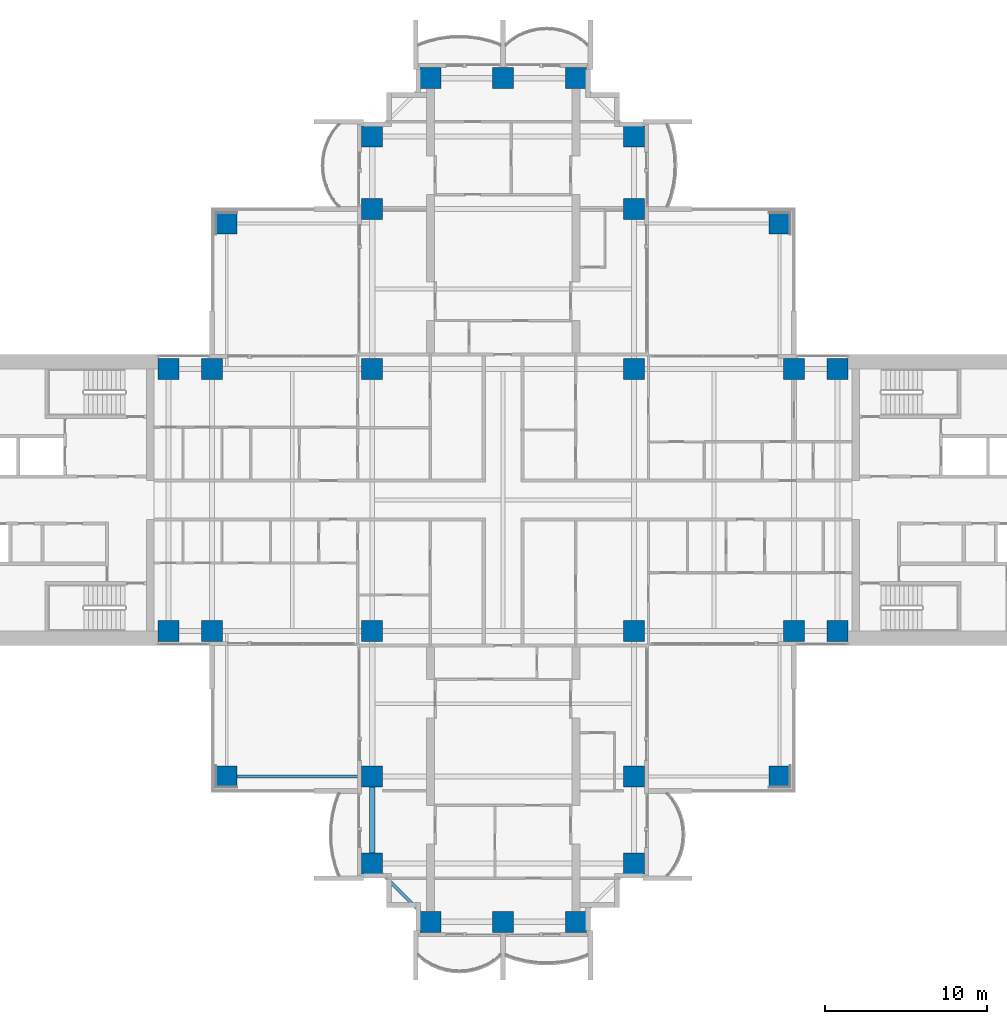
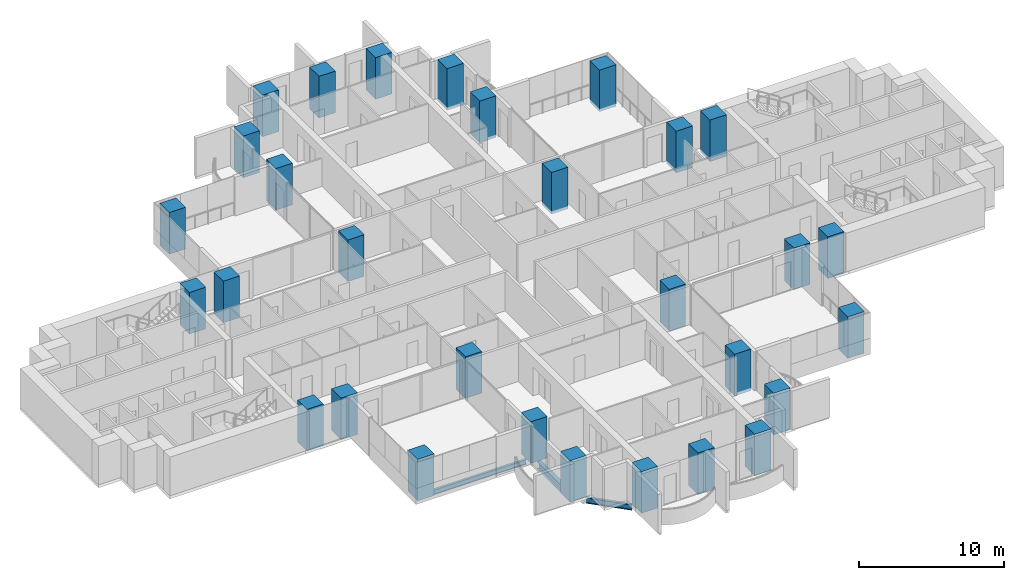
# One storey, part 1 of 20: 30 columns, 3 beams.
"""IFC4 building model written with IfcOpenShell, lengths in metres."""

from ifc_helpers import new_model, si_unit, direction, frame, origin, origin_2d, place, context, subcontext, project, spatial, rectangle, i_section, extrude, material, material_profile, profile_set, type_object, element, save


model = new_model("IFC4")

# Units and contexts
model_context = context("Model", 3, precision=1e-05, world=origin(), true_north=direction((0.0, 1.0)))
body_context = subcontext(model_context, "Body", "Model", "MODEL_VIEW")
ifc_project = project(units=[si_unit("LENGTHUNIT", "METRE"), si_unit("AREAUNIT", "SQUARE_METRE"), si_unit("VOLUMEUNIT", "CUBIC_METRE"), si_unit("PLANEANGLEUNIT", "RADIAN"), si_unit("MASSUNIT", "GRAM", prefix="KILO")], contexts=[model_context])

# Site, building, storey
site_placement = place(None, origin())
site = spatial("IfcSite", under=ifc_project, at=site_placement, CompositionType="ELEMENT")
building_placement = place(site_placement, origin())
building = spatial("IfcBuilding", under=site, at=building_placement, Name="Perihelion Cross Residences", CompositionType="ELEMENT")
storey_placement = place(building_placement, frame((0.0, 0.0, 71.5)))
storey = spatial("IfcBuildingStorey", under=building, at=storey_placement, Name="L15", CompositionType="ELEMENT", Elevation=71.5)

# Columns
ifc_material_1 = material(Name="Concrete C70/85", Category="concrete")
ifc_material_profile_1 = material_profile(ifc_material_1, rectangle(XDim=1.300048828125, YDim=1.300048828125, at=origin_2d()), Name="RC 1300x1300")
ifc_profile_set_1 = profile_set([ifc_material_profile_1], Name="Concrete C70/85")
column_type = type_object("IfcColumnType", Name="Reinforced concrete column 1300x1300 C70/85", PredefinedType="COLUMN", material=ifc_profile_set_1)
for number, where, z_axis, x_axis, name in (
    (1, (-20.699951171875, -8.10009765625, -0.25), (0.0, 0.0, 1.0), (1.0, 0.0, 0.0), "Column C017 L15 no. 1"),
    (2, (-20.699951171875, 8.10009765625, -0.25), (0.0, 0.0, 1.0), (1.0, 0.0, 0.0), "Column C010 L15 no. 1"),
    (3, (-18.0, -8.10009765625, -0.25), (0.0, 0.0, 1.0), (1.0, 0.0, 0.0), "Column C018 L15 no. 1"),
    (4, (-18.0, 8.10009765625, -0.25), (0.0, 0.0, 1.0), (1.0, 0.0, 0.0), "Column C011 L15 no. 1"),
    (5, (-8.10009765625, -22.5, -0.25), (0.0, 0.0, 1.0), (1.0, 0.0, 0.0), "Column C040 L15 no. 1"),
    (6, (-8.10009765625, -17.10009765625, -0.25), (0.0, 0.0, 1.0), (1.0, 0.0, 0.0), "Column C031 L15 no. 1"),
    (7, (-8.10009765625, -8.10009765625, -0.25), (0.0, 0.0, 1.0), (1.0, 0.0, 0.0), "Column C019 L15 no. 1"),
    (8, (-8.10009765625, 8.10009765625, -0.25), (0.0, 0.0, 1.0), (1.0, 0.0, 0.0), "Column C012 L15 no. 1"),
    (9, (-8.10009765625, 18.0, -0.25), (0.0, 0.0, 1.0), (1.0, 0.0, 0.0), "Column C006 L15 no. 1"),
    (10, (-8.10009765625, 22.5, -0.25), (0.0, 0.0, 1.0), (1.0, 0.0, 0.0), "Column C004 L15 no. 1"),
    (11, (-4.5, -26.10009765625, -0.25), (0.0, 0.0, 1.0), (1.0, 0.0, 0.0), "Column C042 L15 no. 1"),
    (12, (-4.5, 26.10009765625, -0.25), (0.0, 0.0, 1.0), (1.0, 0.0, 0.0), "Column C001 L15 no. 1"),
    (13, (0.0, -26.10009765625, -0.25), (0.0, 0.0, 1.0), (1.0, 0.0, 0.0), "Column C043 L15 no. 1"),
    (14, (0.0, 26.10009765625, -0.25), (0.0, 0.0, 1.0), (1.0, 0.0, 0.0), "Column C002 L15 no. 1"),
    (15, (4.5, -26.10009765625, -0.25), (0.0, 0.0, 1.0), (1.0, 0.0, 0.0), "Column C044 L15 no. 1"),
    (16, (4.5, 26.10009765625, -0.25), (0.0, 0.0, 1.0), (1.0, 0.0, 0.0), "Column C003 L15 no. 1"),
    (17, (8.10009765625, -22.5, -0.25), (0.0, 0.0, 1.0), (1.0, 0.0, 0.0), "Column C041 L15 no. 1"),
    (18, (8.10009765625, -17.10009765625, -0.25), (0.0, 0.0, 1.0), (1.0, 0.0, 0.0), "Column C035 L15 no. 1"),
    (19, (8.10009765625, -8.10009765625, -0.25), (0.0, 0.0, 1.0), (1.0, 0.0, 0.0), "Column C020 L15 no. 1"),
    (20, (8.10009765625, 8.10009765625, -0.25), (0.0, 0.0, 1.0), (1.0, 0.0, 0.0), "Column C014 L15 no. 1"),
    (21, (8.10009765625, 18.0, -0.25), (0.0, 0.0, 1.0), (1.0, 0.0, 0.0), "Column C007 L15 no. 1"),
    (22, (8.10009765625, 22.5, -0.25), (0.0, 0.0, 1.0), (1.0, 0.0, 0.0), "Column C005 L15 no. 1"),
    (23, (18.0, -8.10009765625, -0.25), (0.0, 0.0, 1.0), (1.0, 0.0, 0.0), "Column C021 L15 no. 1"),
    (24, (18.0, 8.10009765625, -0.25), (0.0, 0.0, 1.0), (1.0, 0.0, 0.0), "Column C015 L15 no. 1"),
    (25, (20.699951171875, -8.10009765625, -0.25), (0.0, 0.0, 1.0), (1.0, 0.0, 0.0), "Column C022 L15 no. 1"),
    (26, (20.699951171875, 8.10009765625, -0.25), (0.0, 0.0, 1.0), (1.0, 0.0, 0.0), "Column C016 L15 no. 1"),
    (27, (17.10009765625, 17.10009765625, -0.25), (0.0, 0.0, 1.0), (1.0, 0.0, 0.0), "Column C009 L15 no. 1"),
    (28, (-17.10009765625, 17.10009765625, -0.25), (0.0, 0.0, 1.0), (1.0, 0.0, 0.0), "Column C008 L15 no. 1"),
    (29, (-17.10009765625, -17.10009765625, -0.25), (0.0, 0.0, 1.0), (1.0, 0.0, 0.0), "Column C030 L15 no. 1"),
    (30, (17.10009765625, -17.10009765625, -0.25), (0.0, 0.0, 1.0), (1.0, 0.0, 0.0), "Column C036 L15 no. 1"),
):
    element("IfcColumn", number, at=place(storey_placement, frame(where, z_axis=z_axis, x_axis=x_axis)), inside=storey, type_object=column_type, Name=name, PredefinedType="COLUMN", context=body_context, shape_type="SweptSolid", body=[
        extrude(rectangle(XDim=1.300048828125, YDim=1.300048828125, at=origin_2d()), origin(), (0.0, 0.0, 1.0), 3.5),
    ])

# Beams
ifc_material_2 = material(Name="Steel S355", Category="steel")
ifc_material_profile_2 = material_profile(ifc_material_2, i_section(OverallWidth=0.177978515625, OverallDepth=0.406005859375, WebThickness=0.0078125, FlangeThickness=0.0126953125, at=origin_2d()), Name="W410x60")
ifc_profile_set_2 = profile_set([ifc_material_profile_2], Name="Steel S355")
beam_type_1 = type_object("IfcBeamType", Name="Core edge beam W410x60", PredefinedType="BEAM", material=ifc_profile_set_2)
beam_1_placement = place(storey_placement, frame((-8.75, -17.10009765625, -0.452880859375), z_axis=(-1.0, 0.0, 0.0), x_axis=(0.0, -1.0, 0.0)))
element("IfcBeam", 31, at=beam_1_placement, inside=storey, type_object=beam_type_1, Name="Core edge beam TB2 L15 corner no. 2", PredefinedType="BEAM", context=body_context, shape_type="SweptSolid", body=[
    extrude(i_section(OverallWidth=0.177978515625, OverallDepth=0.406005859375, WebThickness=0.0078125, FlangeThickness=0.0126953125, at=origin_2d()), origin(), (0.0, 0.0, 1.0), 7.699951171875),
])
ifc_material_3 = material(Name="Steel S355", Category="steel")
ifc_material_profile_3 = material_profile(ifc_material_3, i_section(OverallWidth=0.324951171875, OverallDepth=0.616943359375, WebThickness=0.013916015625, FlangeThickness=0.021484375, at=origin_2d()), Name="W610x174")
ifc_profile_set_3 = profile_set([ifc_material_profile_3], Name="Steel S355")
beam_type_2 = type_object("IfcBeamType", Name="Edge beam W610x174", PredefinedType="SPANDREL", material=ifc_profile_set_3)
beam_2_placement = place(storey_placement, frame((-8.10009765625, -17.75, -0.55859375), z_axis=(0.0, -1.0, 0.0), x_axis=(1.0, 0.0, 0.0)))
element("IfcBeam", 32, at=beam_2_placement, inside=storey, type_object=beam_type_2, Name="Edge beam SB2 L15 no. 5", PredefinedType="SPANDREL", context=body_context, shape_type="SweptSolid", body=[
    extrude(i_section(OverallWidth=0.324951171875, OverallDepth=0.616943359375, WebThickness=0.013916015625, FlangeThickness=0.021484375, at=origin_2d()), origin(), (0.0, 0.0, 1.0), 4.10009765625),
])
ifc_material_4 = material(Name="Steel S355", Category="steel")
ifc_material_profile_4 = material_profile(ifc_material_4, i_section(OverallWidth=0.194091796875, OverallDepth=0.469970703125, WebThickness=0.0126953125, FlangeThickness=0.0205078125, at=origin_2d()), Name="W460x106")
ifc_profile_set_4 = profile_set([ifc_material_profile_4], Name="Steel S355")
beam_type_3 = type_object("IfcBeamType", Name="Serration edge beam W460x106", PredefinedType="BEAM", material=ifc_profile_set_4)
beam_3_placement = place(storey_placement, frame((-7.449951171875, -23.14990234375, -0.485107421875), z_axis=(0.707106781187, -0.707106781187, 0.0), x_axis=(0.707106781187, 0.707106781187, 0.0)))
element("IfcBeam", 33, at=beam_3_placement, inside=storey, type_object=beam_type_3, Name="Serration edge beam EB2 L15 no. 2", PredefinedType="BEAM", context=body_context, shape_type="SweptSolid", body=[
    extrude(i_section(OverallWidth=0.194091796875, OverallDepth=0.469970703125, WebThickness=0.0126953125, FlangeThickness=0.0205078125, at=origin_2d()), origin(), (0.0, 0.0, 1.0), 3.252685546875),
])

save(model, "model.ifc")
